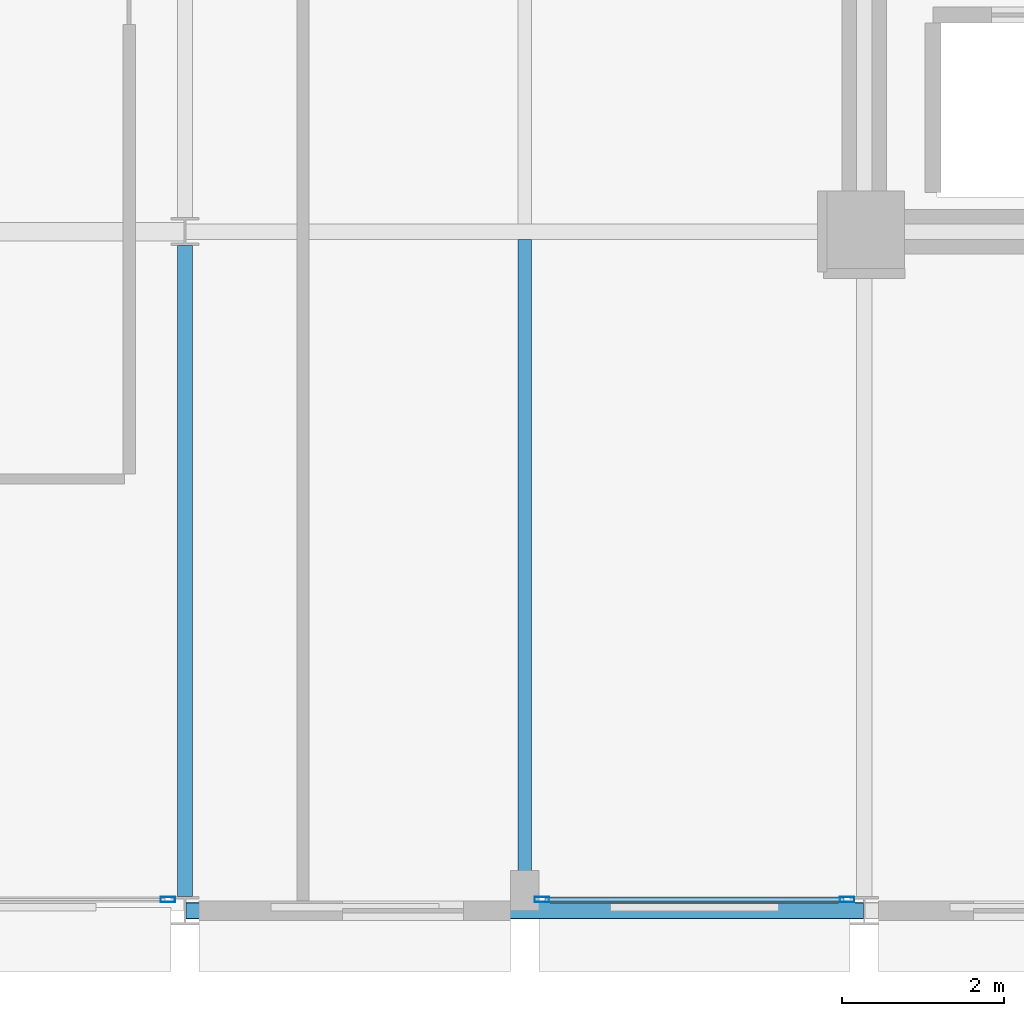
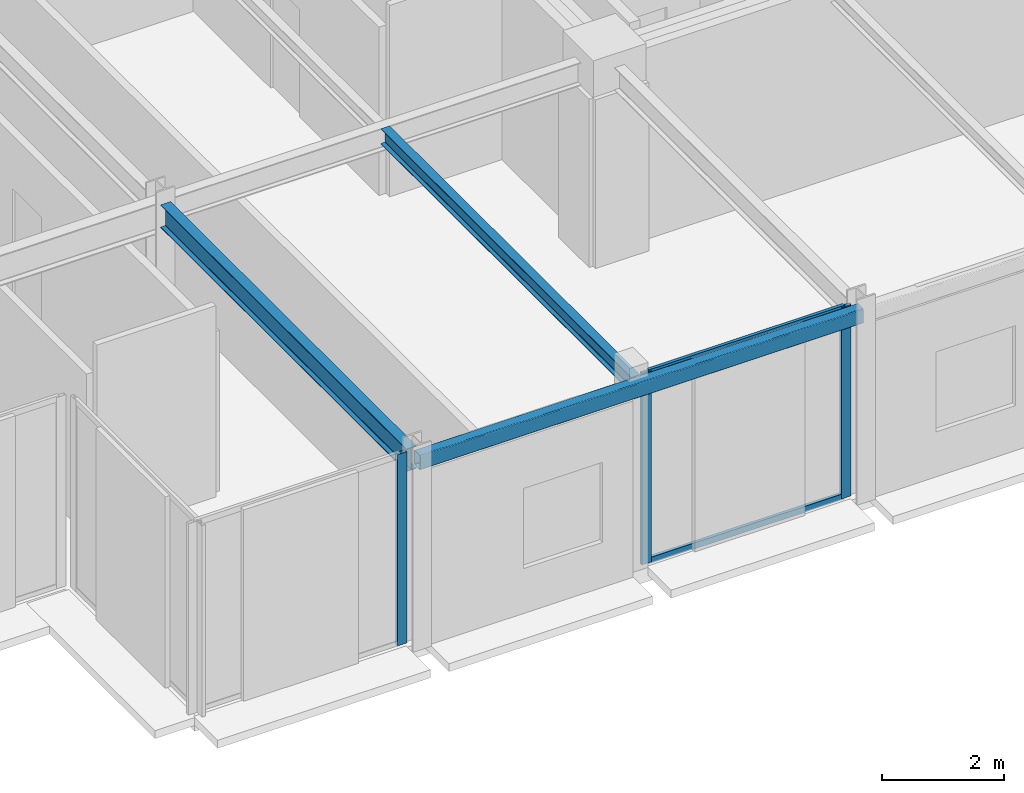
# One storey, part 6 of 29: 5 members, 3 beams, 2 elements without a shape of their own.
"""IFC4 building model written with IfcOpenShell, lengths in metres."""

from ifc_helpers import new_model, si_unit, direction, frame, origin, origin_2d, place, context, subcontext, project, spatial, hollow_rectangle, i_section, extrude, material, layer, layer_set, material_profile, profile_set, type_object, element, aggregate, save


model = new_model("IFC4")

# Units and contexts
model_context = context("Model", 3, precision=1e-05, world=origin(), true_north=direction((0.0, 1.0)))
body_context = subcontext(model_context, "Body", "Model", "MODEL_VIEW")
ifc_project = project(units=[si_unit("LENGTHUNIT", "METRE"), si_unit("AREAUNIT", "SQUARE_METRE"), si_unit("VOLUMEUNIT", "CUBIC_METRE"), si_unit("PLANEANGLEUNIT", "RADIAN"), si_unit("MASSUNIT", "GRAM", prefix="KILO")], contexts=[model_context])

# Site, building, storey
site_placement = place(None, origin())
site = spatial("IfcSite", under=ifc_project, at=site_placement, CompositionType="ELEMENT")
building_placement = place(site_placement, origin())
building = spatial("IfcBuilding", under=site, at=building_placement, Name="Nerrivon Quay Data Exchange", CompositionType="ELEMENT")
storey_placement = place(building_placement, frame((0.0, 0.0, 191.89990234375)))
storey = spatial("IfcBuildingStorey", under=building, at=storey_placement, Name="L45", CompositionType="ELEMENT", Elevation=191.89990234375)

# Beams
ifc_material_1 = material(Name="Steel Grade 350", Category="steel")
ifc_material_profile_1 = material_profile(ifc_material_1, i_section(OverallWidth=0.18994140625, OverallDepth=0.4541015625, WebThickness=0.008544921875, FlangeThickness=0.0126953125, FilletRadius=0.011474609375, at=origin_2d()), Name="460UB67.1")
ifc_profile_set_1 = profile_set([ifc_material_profile_1], Name="Steel Grade 350")
beam_type_1 = type_object("IfcBeamType", Name="BM-G6-460UB67", PredefinedType="BEAM", material=ifc_profile_set_1)
beam_1_placement = place(storey_placement, frame((8.39990234375, 0.175048828125, 3.59814453125), z_axis=(0.0, 1.0, 0.0), x_axis=(-1.0, 0.0, 0.0)))
element("IfcBeam", 1, at=beam_1_placement, inside=storey, type_object=beam_type_1, Name="L45 NS Girder X=8.4 (0.0..8.4)", PredefinedType="BEAM", context=body_context, shape_type="SweptSolid", body=[
    extrude(i_section(OverallWidth=0.18994140625, OverallDepth=0.4541015625, WebThickness=0.008544921875, FlangeThickness=0.0126953125, FilletRadius=0.011474609375, at=origin_2d()), origin(), (0.0, 0.0, 1.0), 8.050048828125),
])
ifc_material_profile_2 = material_profile(ifc_material_1, i_section(OverallWidth=0.166015625, OverallDepth=0.306884765625, WebThickness=0.006591796875, FlangeThickness=0.01171875, FilletRadius=0.011474609375, at=origin_2d()), Name="310UB46.2")
ifc_profile_set_2 = profile_set([ifc_material_profile_2], Name="Steel Grade 350")
beam_type_2 = type_object("IfcBeamType", Name="BM-J5-310UB46", PredefinedType="JOIST", material=ifc_profile_set_2)
beam_2_placement = place(storey_placement, frame((12.60009765625, 0.10009765625, 3.671630859375), z_axis=(0.0, 1.0, 0.0), x_axis=(-1.0, 0.0, 0.0)))
element("IfcBeam", 2, at=beam_2_placement, inside=storey, type_object=beam_type_2, Name="L45 Secondary Joist X=12.6 (0.0..8.4)", PredefinedType="JOIST", context=body_context, shape_type="SweptSolid", body=[
    extrude(i_section(OverallWidth=0.166015625, OverallDepth=0.306884765625, WebThickness=0.006591796875, FlangeThickness=0.01171875, FilletRadius=0.011474609375, at=origin_2d()), origin(), (0.0, 0.0, 1.0), 8.204345703125),
])
ifc_material_2 = material(Name="Steel Grade C350L0 (350 MPa)", Category="steel")
ifc_material_profile_3 = material_profile(ifc_material_2, hollow_rectangle(XDim=0.199951171875, YDim=0.300048828125, WallThickness=0.012451171875, InnerFilletRadius=0.018798828125, OuterFilletRadius=0.03125, at=origin_2d()), Name="300x200x12.5RHS")
ifc_profile_set_3 = profile_set([ifc_material_profile_3], Name="Steel Grade C350L0 (350 MPa)")
beam_type_3 = type_object("IfcBeamType", Name="BM-SP3-300x200RHS", PredefinedType="SPANDREL", material=ifc_profile_set_3)
beam_3_placement = place(storey_placement, frame((8.409912109375, 0.0, 3.675048828125), z_axis=(1.0, 0.0, 0.0), x_axis=(0.0, 1.0, 0.0)))
element("IfcBeam", 3, at=beam_3_placement, inside=storey, type_object=beam_type_3, Name="L45 EW Girder Y=0.0 (8.4..16.8)", PredefinedType="SPANDREL", context=body_context, shape_type="SweptSolid", body=[
    extrude(hollow_rectangle(XDim=0.199951171875, YDim=0.300048828125, WallThickness=0.012451171875, InnerFilletRadius=0.018798828125, OuterFilletRadius=0.03125, at=origin_2d()), origin(), (0.0, 0.0, 1.0), 8.380126953125),
])

# Curtain wall, members
ifc_material_3 = material(Name="Anodised aluminium 6063-T6", Category="aluminium")
ifc_layer = layer(ifc_material_3, 0.195068359375)
ifc_layer_set = layer_set([ifc_layer], Name="Anodised aluminium 6063-T6")
curtain_wall_type = type_object("IfcCurtainWallType", Name="CW-SYS-06", PredefinedType="NOTDEFINED", material=ifc_layer_set)
curtain_wall_1_placement = place(storey_placement, origin())
curtain_wall_1 = element("IfcCurtainWall", 4, at=curtain_wall_1_placement, inside=storey, type_object=curtain_wall_type, Name="L45 Unitised Curtain Wall 26", PredefinedType="NOTDEFINED")
ifc_material_profile_4 = material_profile(ifc_material_3, hollow_rectangle(XDim=0.06494140625, YDim=0.179931640625, WallThickness=0.00341796875, at=origin_2d()), Name="ALU-MULL-180x65")
ifc_profile_set_4 = profile_set([ifc_material_profile_4], Name="Anodised aluminium 6063-T6")
member_type_1 = type_object("IfcMemberType", Name="CWM-180x65", PredefinedType="MULLION", material=ifc_profile_set_4)
member_1_placement = place(storey_placement, frame((16.58740234375, 0.139892578125, 0.0), z_axis=(0.0, 0.0, 1.0), x_axis=(0.0, -1.0, 0.0)))
member_1 = element("IfcMember", 5, at=member_1_placement, type_object=member_type_1, Name="CW06 mullion 1", PredefinedType="MULLION", context=body_context, shape_type="SweptSolid", body=[
    extrude(hollow_rectangle(XDim=0.06494140625, YDim=0.179931640625, WallThickness=0.00341796875, at=origin_2d()), origin(), (0.0, 0.0, 1.0), 3.8251953125),
])
member_2_placement = place(storey_placement, frame((12.8125, 0.139892578125, 0.0), z_axis=(0.0, 0.0, 1.0), x_axis=(0.0, -1.0, 0.0)))
member_2 = element("IfcMember", 6, at=member_2_placement, type_object=member_type_1, Name="CW06 mullion 2", PredefinedType="MULLION", context=body_context, shape_type="SweptSolid", body=[
    extrude(hollow_rectangle(XDim=0.06494140625, YDim=0.179931640625, WallThickness=0.00341796875, at=origin_2d()), origin(), (0.0, 0.0, 1.0), 3.8251953125),
])

# Curtain wall, member
curtain_wall_2_placement = place(storey_placement, origin())
curtain_wall_2 = element("IfcCurtainWall", 7, at=curtain_wall_2_placement, inside=storey, type_object=curtain_wall_type, Name="L45 Unitised Curtain Wall 28", PredefinedType="NOTDEFINED")
member_3_placement = place(storey_placement, frame((8.1875, 0.139892578125, 0.0), z_axis=(0.0, 0.0, 1.0), x_axis=(0.0, -1.0, 0.0)))
member_3 = element("IfcMember", 8, at=member_3_placement, type_object=member_type_1, Name="CW06 mullion 1", PredefinedType="MULLION", context=body_context, shape_type="SweptSolid", body=[
    extrude(hollow_rectangle(XDim=0.06494140625, YDim=0.179931640625, WallThickness=0.00341796875, at=origin_2d()), origin(), (0.0, 0.0, 1.0), 3.8251953125),
])
aggregate(curtain_wall_2, [member_3])

# Member
ifc_material_profile_5 = material_profile(ifc_material_3, hollow_rectangle(XDim=0.06005859375, YDim=0.1201171875, WallThickness=0.003173828125, at=origin_2d()), Name="ALU-TRAN-120x60")
ifc_profile_set_5 = profile_set([ifc_material_profile_5], Name="Anodised aluminium 6063-T6")
member_type_2 = type_object("IfcMemberType", Name="CWT-120x60", PredefinedType="USERDEFINED", material=ifc_profile_set_5)
member_4_placement = place(storey_placement, frame((16.550048828125, 0.139892578125, 0.03271484375), z_axis=(-1.0, 0.0, 0.0), x_axis=(0.0, -1.0, 0.0)))
member_4 = element("IfcMember", 9, at=member_4_placement, type_object=member_type_2, Name="CW06 transom 1.1", ObjectType="TRANSOM", PredefinedType="USERDEFINED", context=body_context, shape_type="SweptSolid", body=[
    extrude(hollow_rectangle(XDim=0.06005859375, YDim=0.1201171875, WallThickness=0.003173828125, at=origin_2d()), origin(), (0.0, 0.0, 1.0), 3.699951171875),
])

member_5_placement = place(storey_placement, frame((16.550048828125, 0.139892578125, 3.79248046875), z_axis=(-1.0, 0.0, 0.0), x_axis=(0.0, -1.0, 0.0)))
member_5 = element("IfcMember", 10, at=member_5_placement, type_object=member_type_2, Name="CW06 transom 1.2", ObjectType="TRANSOM", PredefinedType="USERDEFINED", context=body_context, shape_type="SweptSolid", body=[
    extrude(hollow_rectangle(XDim=0.06005859375, YDim=0.1201171875, WallThickness=0.003173828125, at=origin_2d()), origin(), (0.0, 0.0, 1.0), 3.699951171875),
])

aggregate(curtain_wall_1, [member_1, member_2, member_4, member_5])

save(model, "model.ifc")
